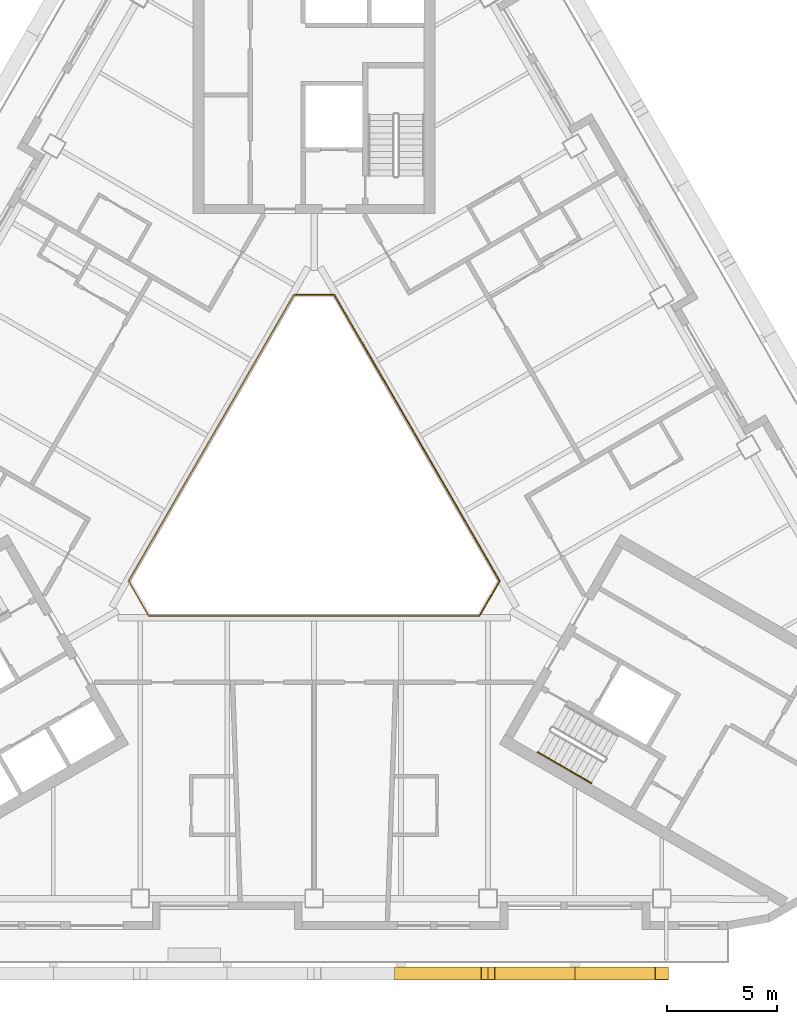
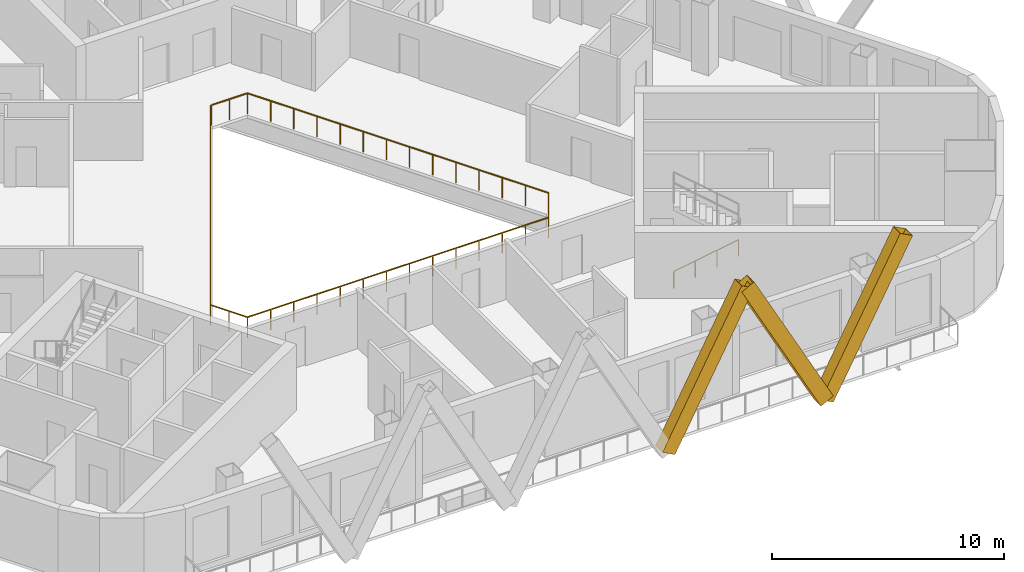
# One storey, part 10 of 13: 3 railings, 3 shading devices.
"""IFC4 building model written with IfcOpenShell, lengths in metres."""

from ifc_helpers import new_model, si_unit, direction, frame, origin, origin_2d, place, context, subcontext, project, spatial, rectangle, hollow_rectangle, circle, extrude, material, material_profile, profile_set, type_object, element, save


model = new_model("IFC4")

# Units and contexts
model_context = context("Model", 3, precision=1e-05, world=origin(), true_north=direction((0.0, 1.0)))
body_context = subcontext(model_context, "Body", "Model", "MODEL_VIEW")
ifc_project = project(units=[si_unit("LENGTHUNIT", "METRE"), si_unit("AREAUNIT", "SQUARE_METRE"), si_unit("VOLUMEUNIT", "CUBIC_METRE"), si_unit("PLANEANGLEUNIT", "RADIAN"), si_unit("MASSUNIT", "GRAM", prefix="KILO")], contexts=[model_context])

# Site, building, storey
site_placement = place(None, origin())
site = spatial("IfcSite", under=ifc_project, at=site_placement, CompositionType="ELEMENT")
building_placement = place(site_placement, origin())
building = spatial("IfcBuilding", under=site, at=building_placement, Name="Apuvela Tower Hotel", CompositionType="ELEMENT")
storey_placement = place(building_placement, frame((0.0, 0.0, 183.60009765625)))
storey = spatial("IfcBuildingStorey", under=building, at=storey_placement, Name="L44", CompositionType="ELEMENT", Elevation=183.60009765625)

# Railing
ifc_material_1 = material(Name="Stainless steel 316 handrail", Category="steel")
railing_type_1 = type_object("IfcRailingType", Name="COR-HANDRAIL-900", PredefinedType="HANDRAIL", material=ifc_material_1)
railing_1_placement = place(storey_placement, frame((10.1689453125, -11.5869140625, 0.16796875)))
element("IfcRailing", 1, at=railing_1_placement, inside=storey, type_object=railing_type_1, Name="L44 ST3 stair handrail 1", PredefinedType="HANDRAIL", context=body_context, shape_type="SweptSolid", body=[
    extrude(circle(Radius=0.02392578125, at=origin_2d()), frame((0.0, 0.0, 0.8759765625), z_axis=(0.742390482028, -0.42860119049, 0.514934356695), x_axis=(0.49998411664, 0.866034573852, 0.0)), (0.0, 0.0, 1.0), 3.26611328125),
    extrude(rectangle(XDim=0.0419921875, YDim=0.0419921875, at=origin_2d()), origin(), (0.0, 0.0, 1.0), 0.851806640625),
    extrude(rectangle(XDim=0.0419921875, YDim=0.0419921875, at=origin_2d()), frame((0.808349609375, -0.466552734375, 0.560546875)), (0.0, 0.0, 1.0), 0.851806640625),
    extrude(rectangle(XDim=0.0419921875, YDim=0.0419921875, at=origin_2d()), frame((1.616455078125, -0.933349609375, 1.121337890625)), (0.0, 0.0, 1.0), 0.851806640625),
    extrude(rectangle(XDim=0.0419921875, YDim=0.0419921875, at=origin_2d()), frame((2.4248046875, -1.39990234375, 1.681884765625)), (0.0, 0.0, 1.0), 0.851806640625),
])

# Shading devices
ifc_material_2 = material(Name="Aluminium 6063-T6, black anodised", Category="aluminium")
ifc_material_profile = material_profile(ifc_material_2, hollow_rectangle(XDim=0.60009765625, YDim=0.699951171875, WallThickness=0.011962890625, at=origin_2d()), Name="AL BOX 700x600x12")
ifc_profile_set = profile_set([ifc_material_profile], Name="Aluminium 6063-T6, black anodised")
shading_device_type = type_object("IfcShadingDeviceType", Name="ENV-FIN-700x600", PredefinedType="USERDEFINED", material=ifc_profile_set)
for number, where, z_axis, x_axis, name in (
    (2, (3.949951171875, -21.6298828125, -0.10009765625), (0.470897892863, 0.0, 0.882187720668), (0.0, 1.0, 0.0), "Lattice fin S334"),
    (3, (11.85009765625, -21.6298828125, -0.10009765625), (-0.470920543904, 0.0, 0.882175629526), (0.0, -1.0, 0.0), "Lattice fin S335"),
    (4, (11.85009765625, -21.6298828125, -0.10009765625), (0.470897892863, 0.0, 0.882187720668), (0.0, 1.0, 0.0), "Lattice fin S336"),
):
    element("IfcShadingDevice", number, at=place(storey_placement, frame(where, z_axis=z_axis, x_axis=x_axis)), inside=storey, type_object=shading_device_type, Name=name, ObjectType="FIN", PredefinedType="USERDEFINED", context=body_context, shape_type="SweptSolid", body=[
        extrude(hollow_rectangle(XDim=0.60009765625, YDim=0.699951171875, WallThickness=0.011962890625, at=origin_2d()), origin(), (0.0, 0.0, 1.0), 8.38818359375),
    ])

# Railings
ifc_material_3 = material(Name="Stainless steel 316 rail with laminated glass infill", Category="steel")
railing_type_2 = type_object("IfcRailingType", Name="ENV-GUARD-1100", PredefinedType="GUARDRAIL", material=ifc_material_3)
railing_2_placement = place(storey_placement, frame((-0.923828125, 9.199951171875, 0.0)))
element("IfcRailing", 5, at=railing_2_placement, inside=storey, type_object=railing_type_2, Name="Atrium void guard A L44", PredefinedType="GUARDRAIL", context=body_context, shape_type="SweptSolid", body=[
    extrude(rectangle(XDim=0.050048828125, YDim=0.050048828125, at=origin_2d()), frame((0.0, 0.0, 1.0751953125), z_axis=(-0.499990886379, -0.866030665472, 0.0), x_axis=(0.866030665472, -0.499990886379, 0.0)), (0.0, 0.0, 1.0), 15.010986328125),
    extrude(rectangle(XDim=0.050048828125, YDim=0.050048828125, at=origin_2d()), frame((-7.50537109375, -13.0, 1.0751953125), z_axis=(0.499962699187, -0.866046938348, 0.0), x_axis=(0.866046938348, 0.499962699187, 0.0)), (0.0, 0.0, 1.0), 1.847412109375),
    extrude(rectangle(XDim=0.050048828125, YDim=0.050048828125, at=origin_2d()), frame((-6.581787109375, -14.599853515625, 1.0751953125), z_axis=(1.0, 0.0, 0.0), x_axis=(0.0, 1.0, 0.0)), (0.0, 0.0, 1.0), 15.01123046875),
    extrude(rectangle(XDim=0.0400390625, YDim=0.0400390625, at=origin_2d()), origin(), (0.0, 0.0, 1.0), 1.050048828125),
    extrude(rectangle(XDim=0.0400390625, YDim=0.0400390625, at=origin_2d()), frame((-0.577392578125, -1.0, 0.0)), (0.0, 0.0, 1.0), 1.050048828125),
    extrude(rectangle(XDim=0.0400390625, YDim=0.0400390625, at=origin_2d()), frame((-1.15478515625, -2.0, 0.0)), (0.0, 0.0, 1.0), 1.050048828125),
    extrude(rectangle(XDim=0.0400390625, YDim=0.0400390625, at=origin_2d()), frame((-1.73193359375, -3.0, 0.0)), (0.0, 0.0, 1.0), 1.050048828125),
    extrude(rectangle(XDim=0.0400390625, YDim=0.0400390625, at=origin_2d()), frame((-2.309326171875, -4.0, 0.0)), (0.0, 0.0, 1.0), 1.050048828125),
    extrude(rectangle(XDim=0.0400390625, YDim=0.0400390625, at=origin_2d()), frame((-2.88671875, -5.0, 0.0)), (0.0, 0.0, 1.0), 1.050048828125),
    extrude(rectangle(XDim=0.0400390625, YDim=0.0400390625, at=origin_2d()), frame((-3.464111328125, -6.0, 0.0)), (0.0, 0.0, 1.0), 1.050048828125),
    extrude(rectangle(XDim=0.0400390625, YDim=0.0400390625, at=origin_2d()), frame((-4.041259765625, -7.0, 0.0)), (0.0, 0.0, 1.0), 1.050048828125),
    extrude(rectangle(XDim=0.0400390625, YDim=0.0400390625, at=origin_2d()), frame((-4.61865234375, -8.0, 0.0)), (0.0, 0.0, 1.0), 1.050048828125),
    extrude(rectangle(XDim=0.0400390625, YDim=0.0400390625, at=origin_2d()), frame((-5.196044921875, -9.0, 0.0)), (0.0, 0.0, 1.0), 1.050048828125),
    extrude(rectangle(XDim=0.0400390625, YDim=0.0400390625, at=origin_2d()), frame((-5.7734375, -10.0, 0.0)), (0.0, 0.0, 1.0), 1.050048828125),
    extrude(rectangle(XDim=0.0400390625, YDim=0.0400390625, at=origin_2d()), frame((-6.3505859375, -11.0, 0.0)), (0.0, 0.0, 1.0), 1.050048828125),
    extrude(rectangle(XDim=0.0400390625, YDim=0.0400390625, at=origin_2d()), frame((-6.927978515625, -12.0, 0.0)), (0.0, 0.0, 1.0), 1.050048828125),
    extrude(rectangle(XDim=0.0400390625, YDim=0.0400390625, at=origin_2d()), frame((-7.50537109375, -13.0, 0.0)), (0.0, 0.0, 1.0), 1.050048828125),
    extrude(rectangle(XDim=0.0400390625, YDim=0.0400390625, at=origin_2d()), frame((-7.04345703125, -13.7998046875, 0.0)), (0.0, 0.0, 1.0), 1.050048828125),
    extrude(rectangle(XDim=0.0400390625, YDim=0.0400390625, at=origin_2d()), frame((-6.581787109375, -14.599853515625, 0.0)), (0.0, 0.0, 1.0), 1.050048828125),
    extrude(rectangle(XDim=0.0400390625, YDim=0.0400390625, at=origin_2d()), frame((-5.427001953125, -14.599853515625, 0.0)), (0.0, 0.0, 1.0), 1.050048828125),
    extrude(rectangle(XDim=0.0400390625, YDim=0.0400390625, at=origin_2d()), frame((-4.2724609375, -14.599853515625, 0.0)), (0.0, 0.0, 1.0), 1.050048828125),
    extrude(rectangle(XDim=0.0400390625, YDim=0.0400390625, at=origin_2d()), frame((-3.11767578125, -14.599853515625, 0.0)), (0.0, 0.0, 1.0), 1.050048828125),
    extrude(rectangle(XDim=0.0400390625, YDim=0.0400390625, at=origin_2d()), frame((-1.962890625, -14.599853515625, 0.0)), (0.0, 0.0, 1.0), 1.050048828125),
    extrude(rectangle(XDim=0.0400390625, YDim=0.0400390625, at=origin_2d()), frame((-0.808349609375, -14.599853515625, 0.0)), (0.0, 0.0, 1.0), 1.050048828125),
    extrude(rectangle(XDim=0.0400390625, YDim=0.0400390625, at=origin_2d()), frame((0.346435546875, -14.599853515625, 0.0)), (0.0, 0.0, 1.0), 1.050048828125),
    extrude(rectangle(XDim=0.0400390625, YDim=0.0400390625, at=origin_2d()), frame((1.501220703125, -14.599853515625, 0.0)), (0.0, 0.0, 1.0), 1.050048828125),
    extrude(rectangle(XDim=0.0400390625, YDim=0.0400390625, at=origin_2d()), frame((2.656005859375, -14.599853515625, 0.0)), (0.0, 0.0, 1.0), 1.050048828125),
    extrude(rectangle(XDim=0.0400390625, YDim=0.0400390625, at=origin_2d()), frame((3.810546875, -14.599853515625, 0.0)), (0.0, 0.0, 1.0), 1.050048828125),
    extrude(rectangle(XDim=0.0400390625, YDim=0.0400390625, at=origin_2d()), frame((4.96533203125, -14.599853515625, 0.0)), (0.0, 0.0, 1.0), 1.050048828125),
    extrude(rectangle(XDim=0.0400390625, YDim=0.0400390625, at=origin_2d()), frame((6.1201171875, -14.599853515625, 0.0)), (0.0, 0.0, 1.0), 1.050048828125),
    extrude(rectangle(XDim=0.0400390625, YDim=0.0400390625, at=origin_2d()), frame((7.274658203125, -14.599853515625, 0.0)), (0.0, 0.0, 1.0), 1.050048828125),
    extrude(rectangle(XDim=0.0400390625, YDim=0.0400390625, at=origin_2d()), frame((8.429443359375, -14.599853515625, 0.0)), (0.0, 0.0, 1.0), 1.050048828125),
])
railing_3_placement = place(storey_placement, frame((7.53564453125, -5.347900390625, 0.0)))
element("IfcRailing", 6, at=railing_3_placement, inside=storey, type_object=railing_type_2, Name="Atrium void guard B L44", PredefinedType="GUARDRAIL", context=body_context, shape_type="SweptSolid", body=[
    extrude(rectangle(XDim=0.050048828125, YDim=0.050048828125, at=origin_2d()), frame((0.0, 0.0, 1.0751953125), z_axis=(0.499958946799, 0.866049104564, 0.0), x_axis=(-0.866049104564, 0.499958946799, 0.0)), (0.0, 0.0, 1.0), 1.787353515625),
    extrude(rectangle(XDim=0.050048828125, YDim=0.050048828125, at=origin_2d()), frame((0.8935546875, 1.5478515625, 1.0751953125), z_axis=(-0.499990886379, 0.866030665472, 0.0), x_axis=(-0.866030665472, -0.499990886379, 0.0)), (0.0, 0.0, 1.0), 15.010986328125),
    extrude(rectangle(XDim=0.050048828125, YDim=0.050048828125, at=origin_2d()), frame((-6.61181640625, 14.5478515625, 1.0751953125), z_axis=(-1.0, 0.0, 0.0), x_axis=(0.0, -1.0, 0.0)), (0.0, 0.0, 1.0), 1.78759765625),
    extrude(rectangle(XDim=0.0400390625, YDim=0.0400390625, at=origin_2d()), origin(), (0.0, 0.0, 1.0), 1.050048828125),
    extrude(rectangle(XDim=0.0400390625, YDim=0.0400390625, at=origin_2d()), frame((0.44677734375, 0.77392578125, 0.0)), (0.0, 0.0, 1.0), 1.050048828125),
    extrude(rectangle(XDim=0.0400390625, YDim=0.0400390625, at=origin_2d()), frame((0.8935546875, 1.5478515625, 0.0)), (0.0, 0.0, 1.0), 1.050048828125),
    extrude(rectangle(XDim=0.0400390625, YDim=0.0400390625, at=origin_2d()), frame((0.316162109375, 2.5478515625, 0.0)), (0.0, 0.0, 1.0), 1.050048828125),
    extrude(rectangle(XDim=0.0400390625, YDim=0.0400390625, at=origin_2d()), frame((-0.26123046875, 3.5478515625, 0.0)), (0.0, 0.0, 1.0), 1.050048828125),
    extrude(rectangle(XDim=0.0400390625, YDim=0.0400390625, at=origin_2d()), frame((-0.83837890625, 4.5478515625, 0.0)), (0.0, 0.0, 1.0), 1.050048828125),
    extrude(rectangle(XDim=0.0400390625, YDim=0.0400390625, at=origin_2d()), frame((-1.415771484375, 5.5478515625, 0.0)), (0.0, 0.0, 1.0), 1.050048828125),
    extrude(rectangle(XDim=0.0400390625, YDim=0.0400390625, at=origin_2d()), frame((-1.9931640625, 6.5478515625, 0.0)), (0.0, 0.0, 1.0), 1.050048828125),
    extrude(rectangle(XDim=0.0400390625, YDim=0.0400390625, at=origin_2d()), frame((-2.570556640625, 7.5478515625, 0.0)), (0.0, 0.0, 1.0), 1.050048828125),
    extrude(rectangle(XDim=0.0400390625, YDim=0.0400390625, at=origin_2d()), frame((-3.147705078125, 8.5478515625, 0.0)), (0.0, 0.0, 1.0), 1.050048828125),
    extrude(rectangle(XDim=0.0400390625, YDim=0.0400390625, at=origin_2d()), frame((-3.72509765625, 9.5478515625, 0.0)), (0.0, 0.0, 1.0), 1.050048828125),
    extrude(rectangle(XDim=0.0400390625, YDim=0.0400390625, at=origin_2d()), frame((-4.302490234375, 10.5478515625, 0.0)), (0.0, 0.0, 1.0), 1.050048828125),
    extrude(rectangle(XDim=0.0400390625, YDim=0.0400390625, at=origin_2d()), frame((-4.8798828125, 11.5478515625, 0.0)), (0.0, 0.0, 1.0), 1.050048828125),
    extrude(rectangle(XDim=0.0400390625, YDim=0.0400390625, at=origin_2d()), frame((-5.45703125, 12.5478515625, 0.0)), (0.0, 0.0, 1.0), 1.050048828125),
    extrude(rectangle(XDim=0.0400390625, YDim=0.0400390625, at=origin_2d()), frame((-6.034423828125, 13.5478515625, 0.0)), (0.0, 0.0, 1.0), 1.050048828125),
    extrude(rectangle(XDim=0.0400390625, YDim=0.0400390625, at=origin_2d()), frame((-6.61181640625, 14.5478515625, 0.0)), (0.0, 0.0, 1.0), 1.050048828125),
    extrude(rectangle(XDim=0.0400390625, YDim=0.0400390625, at=origin_2d()), frame((-7.505615234375, 14.5478515625, 0.0)), (0.0, 0.0, 1.0), 1.050048828125),
    extrude(rectangle(XDim=0.0400390625, YDim=0.0400390625, at=origin_2d()), frame((-8.3994140625, 14.5478515625, 0.0)), (0.0, 0.0, 1.0), 1.050048828125),
])

save(model, "model.ifc")
